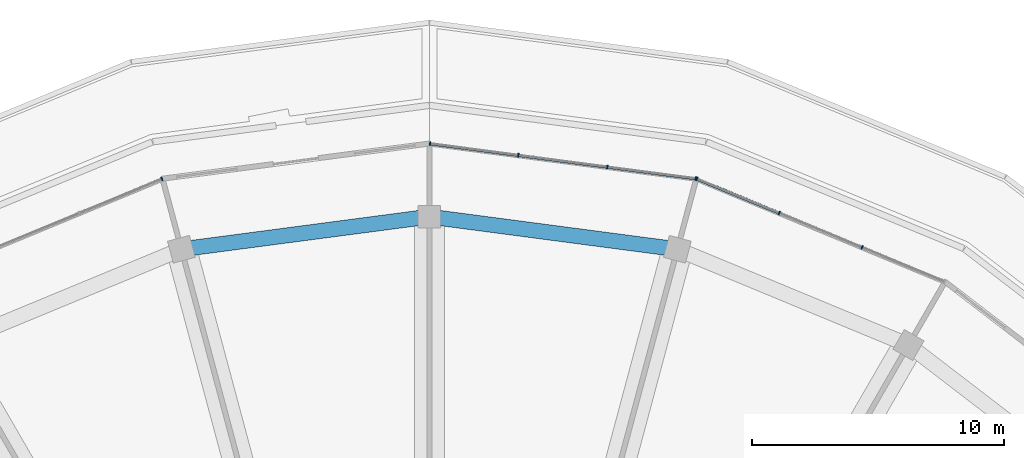
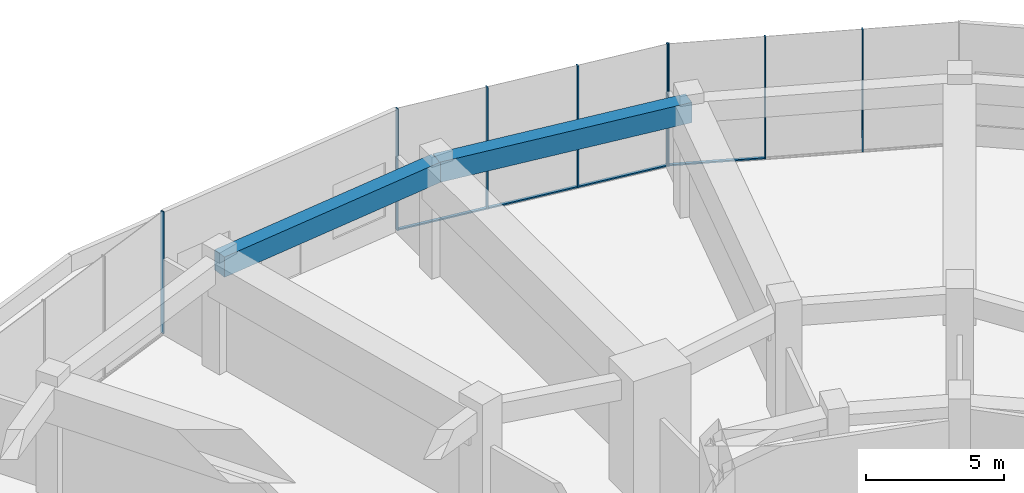
# One storey, part 17 of 30: 12 members, 2 beams, 3 elements without a shape of their own.
"""IFC4 building model written with IfcOpenShell, lengths in metres."""

from ifc_helpers import new_model, si_unit, direction, frame, origin, origin_2d, place, context, subcontext, project, spatial, rectangle, extrude, material, layer, layer_set, material_profile, profile_set, type_object, element, aggregate, save


model = new_model("IFC4")

# Units and contexts
model_context = context("Model", 3, precision=1e-05, world=origin(), true_north=direction((0.0, 1.0)))
body_context = subcontext(model_context, "Body", "Model", "MODEL_VIEW")
ifc_project = project(units=[si_unit("LENGTHUNIT", "METRE"), si_unit("AREAUNIT", "SQUARE_METRE"), si_unit("VOLUMEUNIT", "CUBIC_METRE"), si_unit("PLANEANGLEUNIT", "RADIAN"), si_unit("MASSUNIT", "GRAM", prefix="KILO")], contexts=[model_context])

# Site, building, storey
site_placement = place(None, origin())
site = spatial("IfcSite", under=ifc_project, at=site_placement, CompositionType="ELEMENT")
building_placement = place(site_placement, origin())
building = spatial("IfcBuilding", under=site, at=building_placement, Name="Torre Brocal", CompositionType="ELEMENT")
storey_placement = place(building_placement, frame((0.0, 0.0, 7.0)))
storey = spatial("IfcBuildingStorey", under=building, at=storey_placement, Name="L01", CompositionType="ELEMENT", Elevation=7.0)

# Curtain wall, members
ifc_material_1 = material(Name="Aluminium and glass", Category="aluminium")
ifc_layer = layer(ifc_material_1, 0.199951171875)
ifc_layer_set = layer_set([ifc_layer], Name="Aluminium and glass")
curtain_wall_type = type_object("IfcCurtainWallType", Name="CW-3 CURTAIN WALL 5400 HIGH", PredefinedType="NOTDEFINED", material=ifc_layer_set)
curtain_wall_1_placement = place(storey_placement, origin())
curtain_wall_1 = element("IfcCurtainWall", 1, at=curtain_wall_1_placement, inside=storey, type_object=curtain_wall_type, Name="CW-3 RUN 5", PredefinedType="NOTDEFINED")
ifc_material_2 = material(Name="Aluminium, dark anodised", Category="aluminium")
ifc_material_profile_1 = material_profile(ifc_material_2, rectangle(XDim=0.14990234375, YDim=0.050048828125, at=origin_2d()), Name="CW-3 MULLION 50X150")
ifc_profile_set_1 = profile_set([ifc_material_profile_1], Name="Aluminium, dark anodised")
member_type_1 = type_object("IfcMemberType", Name="CW-3 MULLION 50X150", PredefinedType="MULLION", material=ifc_profile_set_1)
member_1_placement = place(storey_placement, frame((97.16162109375, 111.78173828125, 0.0), z_axis=(0.0, 0.0, 1.0), x_axis=(-0.382683432397, -0.923879532498, 0.0)))
member_1 = element("IfcMember", 2, at=member_1_placement, type_object=member_type_1, Name="CW3-2 mullion 2", PredefinedType="MULLION", context=body_context, shape_type="SweptSolid", body=[
    extrude(rectangle(XDim=0.14990234375, YDim=0.050048828125, at=origin_2d()), origin(), (0.0, 0.0, 1.0), 5.39990234375),
])
member_2_placement = place(storey_placement, frame((93.87353515625, 113.1435546875, 0.0), z_axis=(0.0, 0.0, 1.0), x_axis=(-0.382683432397, -0.923879532498, 0.0)))
member_2 = element("IfcMember", 3, at=member_2_placement, type_object=member_type_1, Name="CW3-2 mullion 3", PredefinedType="MULLION", context=body_context, shape_type="SweptSolid", body=[
    extrude(rectangle(XDim=0.14990234375, YDim=0.050048828125, at=origin_2d()), origin(), (0.0, 0.0, 1.0), 5.39990234375),
])
member_3_placement = place(storey_placement, frame((90.608642578125, 114.495849609375, 0.0), z_axis=(0.0, 0.0, 1.0), x_axis=(-0.382683432397, -0.923879532498, 0.0)))
member_3 = element("IfcMember", 4, at=member_3_placement, type_object=member_type_1, Name="CW3-2 mullion 4", PredefinedType="MULLION", context=body_context, shape_type="SweptSolid", body=[
    extrude(rectangle(XDim=0.14990234375, YDim=0.050048828125, at=origin_2d()), origin(), (0.0, 0.0, 1.0), 5.39990234375),
])

curtain_wall_2_placement = place(storey_placement, origin())
curtain_wall_2 = element("IfcCurtainWall", 5, at=curtain_wall_2_placement, inside=storey, type_object=curtain_wall_type, Name="CW-3 RUN 6", PredefinedType="NOTDEFINED")
member_4_placement = place(storey_placement, frame((90.560791015625, 114.5087890625, 0.0), z_axis=(0.0, 0.0, 1.0), x_axis=(-0.130526192185, -0.991444861378, 0.0)))
member_4 = element("IfcMember", 6, at=member_4_placement, type_object=member_type_1, Name="CW3-2 mullion 1", PredefinedType="MULLION", context=body_context, shape_type="SweptSolid", body=[
    extrude(rectangle(XDim=0.14990234375, YDim=0.050048828125, at=origin_2d()), origin(), (0.0, 0.0, 1.0), 5.39990234375),
])
member_5_placement = place(storey_placement, frame((87.056884765625, 114.969970703125, 0.0), z_axis=(0.0, 0.0, 1.0), x_axis=(-0.130526192185, -0.991444861378, 0.0)))
member_5 = element("IfcMember", 7, at=member_5_placement, type_object=member_type_1, Name="CW3-2 mullion 2", PredefinedType="MULLION", context=body_context, shape_type="SweptSolid", body=[
    extrude(rectangle(XDim=0.14990234375, YDim=0.050048828125, at=origin_2d()), origin(), (0.0, 0.0, 1.0), 5.39990234375),
])
member_6_placement = place(storey_placement, frame((83.528564453125, 115.4345703125, 0.0), z_axis=(0.0, 0.0, 1.0), x_axis=(-0.130526192185, -0.991444861378, 0.0)))
member_6 = element("IfcMember", 8, at=member_6_placement, type_object=member_type_1, Name="CW3-2 mullion 3", PredefinedType="MULLION", context=body_context, shape_type="SweptSolid", body=[
    extrude(rectangle(XDim=0.14990234375, YDim=0.050048828125, at=origin_2d()), origin(), (0.0, 0.0, 1.0), 5.39990234375),
])
member_7_placement = place(storey_placement, frame((80.02490234375, 115.895751953125, 0.0), z_axis=(0.0, 0.0, 1.0), x_axis=(-0.130526192185, -0.991444861378, 0.0)))
member_7 = element("IfcMember", 9, at=member_7_placement, type_object=member_type_1, Name="CW3-2 mullion 4", PredefinedType="MULLION", context=body_context, shape_type="SweptSolid", body=[
    extrude(rectangle(XDim=0.14990234375, YDim=0.050048828125, at=origin_2d()), origin(), (0.0, 0.0, 1.0), 5.39990234375),
])

# Curtain wall, member
curtain_wall_3_placement = place(storey_placement, origin())
curtain_wall_3 = element("IfcCurtainWall", 10, at=curtain_wall_3_placement, inside=storey, type_object=curtain_wall_type, Name="CW-3 RUN 8", PredefinedType="NOTDEFINED")
member_8_placement = place(storey_placement, frame((69.391357421875, 114.495849609375, 0.0), z_axis=(0.0, 0.0, 1.0), x_axis=(0.382683432397, -0.923879532498, 0.0)))
member_8 = element("IfcMember", 11, at=member_8_placement, type_object=member_type_1, Name="CW3-2 mullion 1", PredefinedType="MULLION", context=body_context, shape_type="SweptSolid", body=[
    extrude(rectangle(XDim=0.14990234375, YDim=0.050048828125, at=origin_2d()), origin(), (0.0, 0.0, 1.0), 5.39990234375),
])
aggregate(curtain_wall_3, [member_8])

# Member
ifc_material_3 = material(Name="Aluminium, dark anodised", Category="aluminium")
ifc_material_profile_2 = material_profile(ifc_material_3, rectangle(XDim=0.1201171875, YDim=0.06005859375, at=origin_2d()), Name="CW-3 TRANSOM 120X60")
ifc_profile_set_2 = profile_set([ifc_material_profile_2], Name="Aluminium, dark anodised")
member_type_2 = type_object("IfcMemberType", Name="CW-3 TRANSOM 120X60", PredefinedType="USERDEFINED", material=ifc_profile_set_2)
member_9_placement = place(storey_placement, frame((93.850341796875, 113.153076171875, 0.030029296875), z_axis=(-0.923879324553, 0.382683934419, 0.0), x_axis=(-0.382683934419, -0.923879324553, 0.0)))
member_9 = element("IfcMember", 12, at=member_9_placement, type_object=member_type_2, Name="CW3-2 transom 3.1", ObjectType="TRANSOM", PredefinedType="USERDEFINED", context=body_context, shape_type="SweptSolid", body=[
    extrude(rectangle(XDim=0.1201171875, YDim=0.06005859375, at=origin_2d()), origin(), (0.0, 0.0, 1.0), 3.48388671875),
])

aggregate(curtain_wall_1, [member_1, member_2, member_3, member_9])

member_10_placement = place(storey_placement, frame((90.535888671875, 114.511962890625, 0.030029296875), z_axis=(-0.991441410766, 0.130552399509, 0.0), x_axis=(-0.130552399509, -0.991441410766, 0.0)))
member_10 = element("IfcMember", 13, at=member_10_placement, type_object=member_type_2, Name="CW3-2 transom 1.1", ObjectType="TRANSOM", PredefinedType="USERDEFINED", context=body_context, shape_type="SweptSolid", body=[
    extrude(rectangle(XDim=0.1201171875, YDim=0.06005859375, at=origin_2d()), origin(), (0.0, 0.0, 1.0), 3.48388671875),
])

member_11_placement = place(storey_placement, frame((87.0322265625, 114.973388671875, 0.030029296875), z_axis=(-0.991445294361, 0.130522903314, 0.0), x_axis=(-0.130522903314, -0.991445294361, 0.0)))
member_11 = element("IfcMember", 14, at=member_11_placement, type_object=member_type_2, Name="CW3-2 transom 2.1", ObjectType="TRANSOM", PredefinedType="USERDEFINED", context=body_context, shape_type="SweptSolid", body=[
    extrude(rectangle(XDim=0.1201171875, YDim=0.06005859375, at=origin_2d()), origin(), (0.0, 0.0, 1.0), 3.509033203125),
])

member_12_placement = place(storey_placement, frame((83.503662109375, 115.437744140625, 0.030029296875), z_axis=(-0.991441410766, 0.130552399509, 0.0), x_axis=(-0.130552399509, -0.991441410766, 0.0)))
member_12 = element("IfcMember", 15, at=member_12_placement, type_object=member_type_2, Name="CW3-2 transom 3.1", ObjectType="TRANSOM", PredefinedType="USERDEFINED", context=body_context, shape_type="SweptSolid", body=[
    extrude(rectangle(XDim=0.1201171875, YDim=0.06005859375, at=origin_2d()), origin(), (0.0, 0.0, 1.0), 3.48388671875),
])

aggregate(curtain_wall_2, [member_4, member_5, member_6, member_7, member_10, member_11, member_12])

# Beams
ifc_material_4 = material(Name="Concrete C50", Category="concrete")
ifc_material_profile_3 = material_profile(ifc_material_4, rectangle(XDim=0.60009765625, YDim=0.89990234375, at=origin_2d()), Name="RC 600X900")
ifc_profile_set_3 = profile_set([ifc_material_profile_3], Name="Concrete C50")
beam_type = type_object("IfcBeamType", Name="RC BEAM 600X900 C50 TOP 4950", PredefinedType="BEAM", material=ifc_profile_set_3)
for number, where, z_axis, x_axis, name in (
    (16, (89.835205078125, 111.705078125, 4.5), (-0.991443653839, 0.13053536403, 0.0), (-0.13053536403, -0.991443653839, 0.0), "Beam BT-10"),
    (17, (80.0, 113.0, 4.5), (-0.991443653839, -0.13053536403, 0.0), (0.13053536403, -0.991443653839, 0.0), "Beam BT-10"),
):
    element("IfcBeam", number, at=place(storey_placement, frame(where, z_axis=z_axis, x_axis=x_axis)), inside=storey, type_object=beam_type, Name=name, PredefinedType="BEAM", context=body_context, shape_type="SweptSolid", body=[
        extrude(rectangle(XDim=0.60009765625, YDim=0.89990234375, at=origin_2d()), origin(), (0.0, 0.0, 1.0), 9.920166015625),
    ])

save(model, "model.ifc")
